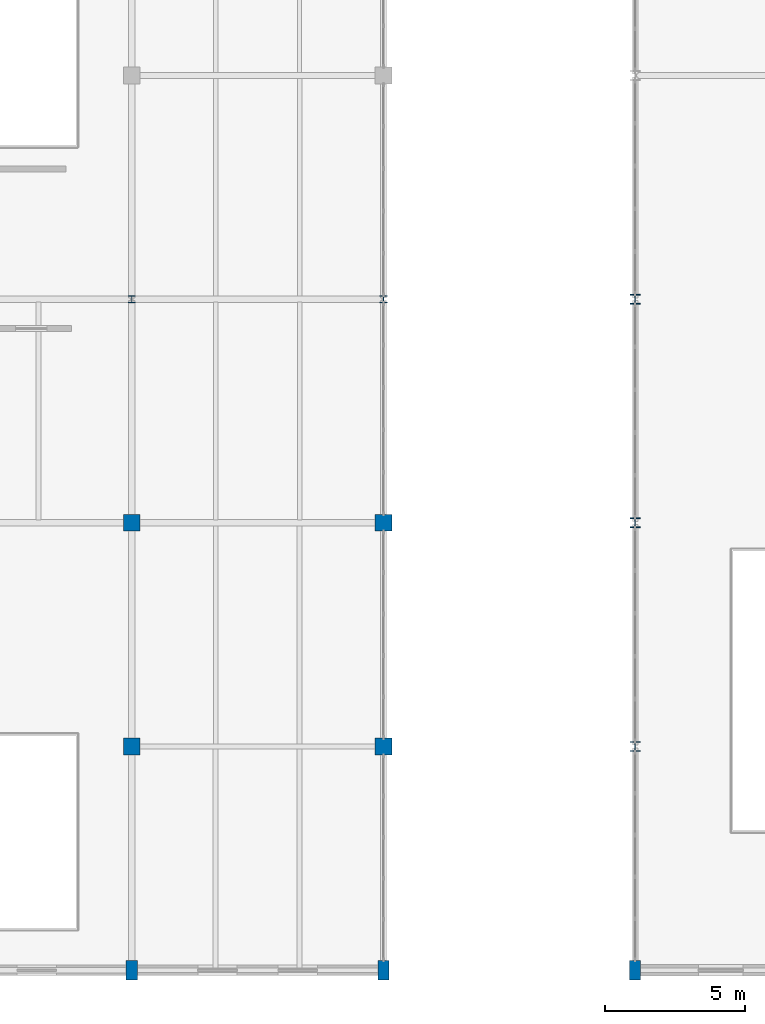
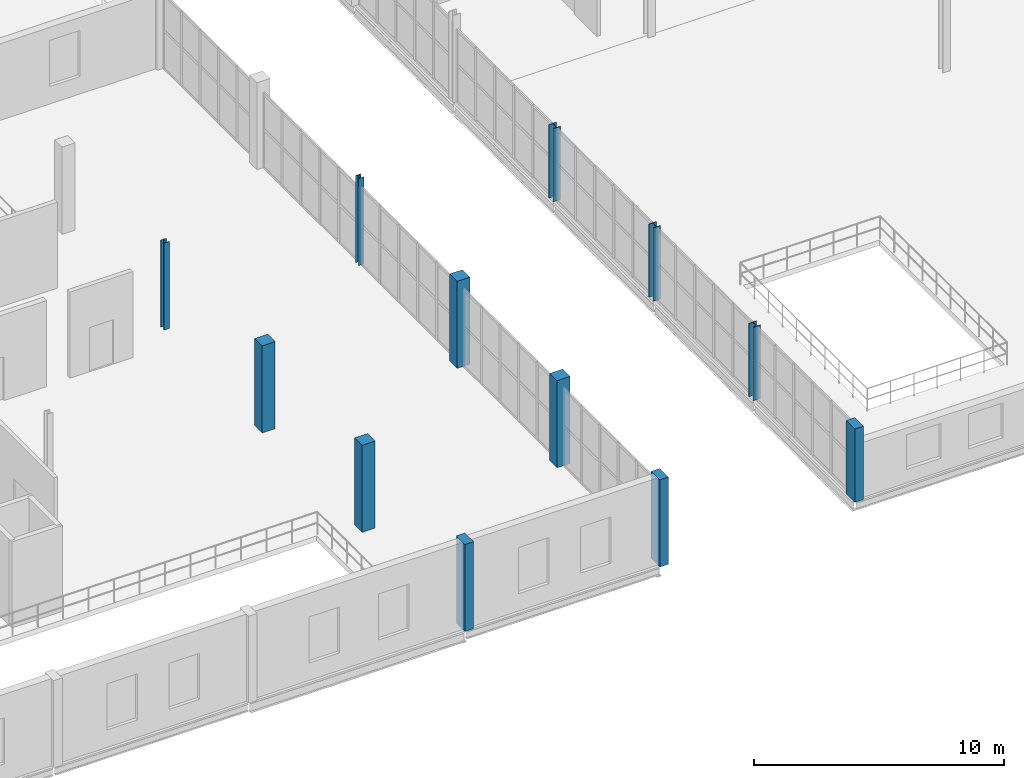
# One storey, part 2 of 73: 12 columns.
"""IFC4 building model written with IfcOpenShell, lengths in metres."""

from ifc_helpers import new_model, si_unit, direction, frame, origin, origin_2d, place, context, subcontext, project, spatial, rectangle, i_section, extrude, material, material_profile, profile_set, type_object, element, save


model = new_model("IFC4")

# Units and contexts
model_context = context("Model", 3, precision=1e-05, world=origin(), true_north=direction((0.0, 1.0)))
body_context = subcontext(model_context, "Body", "Model", "MODEL_VIEW")
ifc_project = project(units=[si_unit("LENGTHUNIT", "METRE"), si_unit("AREAUNIT", "SQUARE_METRE"), si_unit("VOLUMEUNIT", "CUBIC_METRE"), si_unit("PLANEANGLEUNIT", "RADIAN"), si_unit("MASSUNIT", "GRAM", prefix="KILO")], contexts=[model_context])

# Site, building, storey
site_placement = place(None, origin())
site = spatial("IfcSite", under=ifc_project, at=site_placement, CompositionType="ELEMENT")
building_placement = place(site_placement, origin())
building = spatial("IfcBuilding", under=site, at=building_placement, Name="Marnock Terrace Opera House", CompositionType="ELEMENT")
storey_placement = place(building_placement, frame((0.0, 0.0, 14.699951171875)))
storey = spatial("IfcBuildingStorey", under=building, at=storey_placement, Name="L03", CompositionType="ELEMENT", Elevation=14.699951171875)

# Columns
ifc_material_1 = material(Name="Concrete N40 (f'c = 40 MPa)", Category="concrete")
ifc_material_profile_1 = material_profile(ifc_material_1, rectangle(XDim=0.39990234375, YDim=0.699951171875, at=origin_2d()))
ifc_profile_set_1 = profile_set([ifc_material_profile_1], Name="Concrete N40 (f'c = 40 MPa)")
column_type_1 = type_object("IfcColumnType", Name="COL-PIL-700", PredefinedType="PILASTER", material=ifc_profile_set_1)
for number, where, z_axis, x_axis, name in (
    (1, (37.0, 8.0, 0.0), (0.0, 0.0, 1.0), (1.0, 0.0, 0.0), "L03 column at (37.0, 8.0)"),
    (2, (46.0, 8.0, 0.0), (0.0, 0.0, 1.0), (1.0, 0.0, 0.0), "L03 column at (46.0, 8.0)"),
):
    element("IfcColumn", number, at=place(storey_placement, frame(where, z_axis=z_axis, x_axis=x_axis)), inside=storey, type_object=column_type_1, Name=name, PredefinedType="PILASTER", context=body_context, shape_type="SweptSolid", body=[
        extrude(rectangle(XDim=0.39990234375, YDim=0.699951171875, at=origin_2d()), origin(), (0.0, 0.0, 1.0), 4.25),
    ])
column_placement = place(storey_placement, frame((55.0, 8.0, 0.0), z_axis=(0.0, 0.0, 1.0), x_axis=(1.0, 0.0, 0.0)))
element("IfcColumn", 3, at=column_placement, inside=storey, type_object=column_type_1, Name="L03 column at (55.0, 8.0)", PredefinedType="PILASTER", context=body_context, shape_type="SweptSolid", body=[
    extrude(rectangle(XDim=0.39990234375, YDim=0.699951171875, at=origin_2d()), origin(), (0.0, 0.0, 1.0), 3.580078125),
])
ifc_material_profile_2 = material_profile(ifc_material_1, rectangle(XDim=0.60009765625, YDim=0.60009765625, at=origin_2d()))
ifc_profile_set_2 = profile_set([ifc_material_profile_2], Name="Concrete N40 (f'c = 40 MPa)")
column_type_2 = type_object("IfcColumnType", Name="COL-RC600", PredefinedType="COLUMN", material=ifc_profile_set_2)
for number, where, z_axis, x_axis, name in (
    (4, (37.0, 16.0, 0.0), (0.0, 0.0, 1.0), (1.0, 0.0, 0.0), "L03 column at (37.0, 16.0)"),
    (5, (37.0, 24.0, 0.0), (0.0, 0.0, 1.0), (1.0, 0.0, 0.0), "L03 column at (37.0, 24.0)"),
    (6, (46.0, 16.0, 0.0), (0.0, 0.0, 1.0), (1.0, 0.0, 0.0), "L03 column at (46.0, 16.0)"),
    (7, (46.0, 24.0, 0.0), (0.0, 0.0, 1.0), (1.0, 0.0, 0.0), "L03 column at (46.0, 24.0)"),
):
    element("IfcColumn", number, at=place(storey_placement, frame(where, z_axis=z_axis, x_axis=x_axis)), inside=storey, type_object=column_type_2, Name=name, PredefinedType="COLUMN", context=body_context, shape_type="SweptSolid", body=[
        extrude(rectangle(XDim=0.60009765625, YDim=0.60009765625, at=origin_2d()), origin(), (0.0, 0.0, 1.0), 4.25),
    ])
ifc_material_2 = material(Name="Steel Grade 350 (AS/NZS 3679.1)", Category="steel")
ifc_material_profile_3 = material_profile(ifc_material_2, i_section(OverallWidth=0.256103515625, OverallDepth=0.260009765625, WebThickness=0.010498046875, FlangeThickness=0.017333984375, FilletRadius=0.013916015625, at=origin_2d()))
ifc_profile_set_3 = profile_set([ifc_material_profile_3], Name="Steel Grade 350 (AS/NZS 3679.1)")
column_type_3 = type_object("IfcColumnType", Name="COL-UC250", PredefinedType="COLUMN", material=ifc_profile_set_3)
for number, where, z_axis, x_axis, name in (
    (8, (37.0, 32.0, 0.0), (0.0, 0.0, 1.0), (1.0, 0.0, 0.0), "L03 column at (37.0, 32.0)"),
    (9, (46.0, 32.0, 0.0), (0.0, 0.0, 1.0), (1.0, 0.0, 0.0), "L03 column at (46.0, 32.0)"),
):
    element("IfcColumn", number, at=place(storey_placement, frame(where, z_axis=z_axis, x_axis=x_axis)), inside=storey, type_object=column_type_3, Name=name, PredefinedType="COLUMN", context=body_context, shape_type="SweptSolid", body=[
        extrude(i_section(OverallWidth=0.256103515625, OverallDepth=0.260009765625, WebThickness=0.010498046875, FlangeThickness=0.017333984375, FilletRadius=0.013916015625, at=origin_2d()), origin(), (0.0, 0.0, 1.0), 4.25),
    ])
ifc_material_3 = material(Name="Steel Grade 350 Welded (AS/NZS 3679.2)", Category="steel")
ifc_material_profile_4 = material_profile(ifc_material_3, i_section(OverallWidth=0.35009765625, OverallDepth=0.35009765625, WebThickness=0.01611328125, FlangeThickness=0.028076171875, at=origin_2d()))
ifc_profile_set_4 = profile_set([ifc_material_profile_4], Name="Steel Grade 350 Welded (AS/NZS 3679.2)")
column_type_4 = type_object("IfcColumnType", Name="COL-WC350", PredefinedType="COLUMN", material=ifc_profile_set_4)
for number, where, z_axis, x_axis, name in (
    (10, (55.0, 16.0, 0.0), (0.0, 0.0, 1.0), (1.0, 0.0, 0.0), "L03 column at (55.0, 16.0)"),
    (11, (55.0, 24.0, 0.0), (0.0, 0.0, 1.0), (1.0, 0.0, 0.0), "L03 column at (55.0, 24.0)"),
    (12, (55.0, 32.0, 0.0), (0.0, 0.0, 1.0), (1.0, 0.0, 0.0), "L03 column at (55.0, 32.0)"),
):
    element("IfcColumn", number, at=place(storey_placement, frame(where, z_axis=z_axis, x_axis=x_axis)), inside=storey, type_object=column_type_4, Name=name, PredefinedType="COLUMN", context=body_context, shape_type="SweptSolid", body=[
        extrude(i_section(OverallWidth=0.35009765625, OverallDepth=0.35009765625, WebThickness=0.01611328125, FlangeThickness=0.028076171875, at=origin_2d()), origin(), (0.0, 0.0, 1.0), 3.580078125),
    ])

save(model, "model.ifc")
